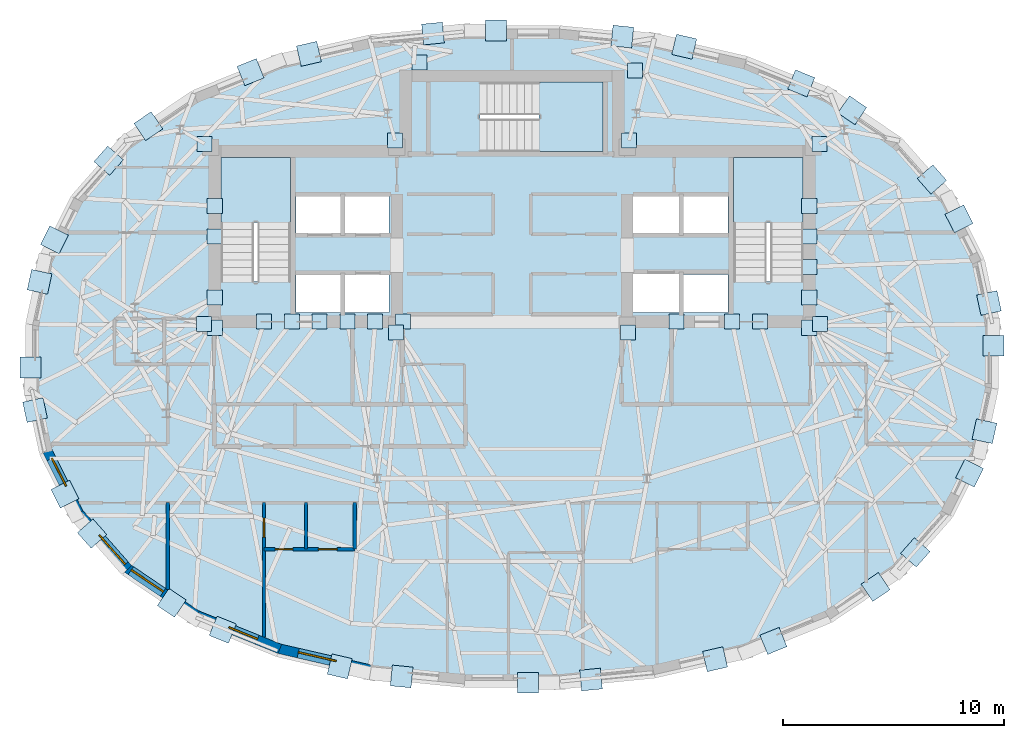
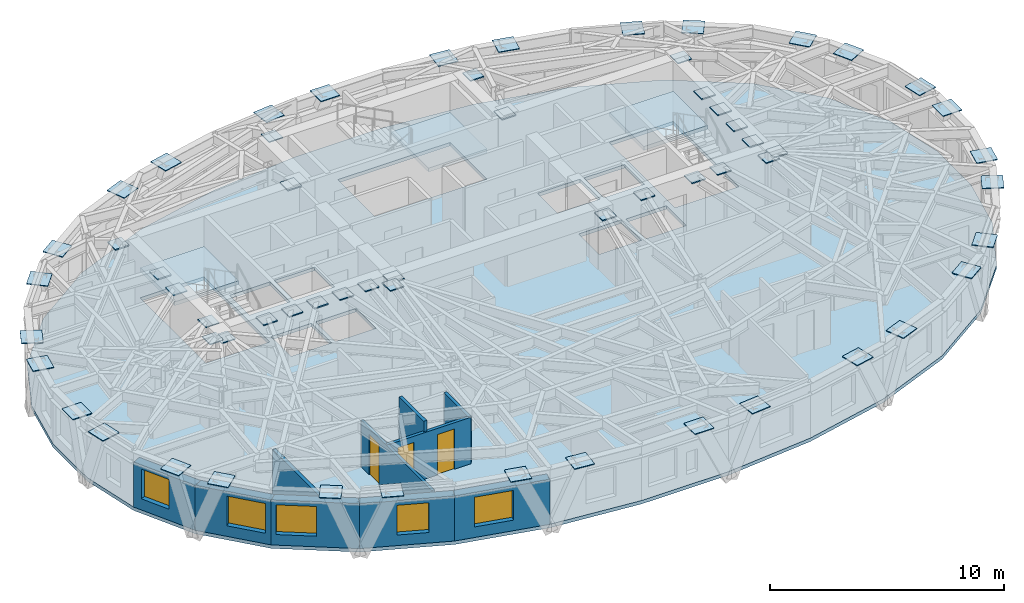
# One storey, part 5 of 13: 60 plates, 10 walls, 5 windows, 4 slabs, 3 doors, 8 openings, 3 elements without a shape of their own.
"""IFC4 building model written with IfcOpenShell, lengths in metres."""

from ifc_helpers import new_model, si_unit, direction, frame, frame_2d, origin, origin_2d, place, context, subcontext, project, spatial, polyline, rectangle, outline, extrude, material, layer, layer_set, type_object, element, fill, aggregate, save


model = new_model("IFC4")

# Units and contexts
model_context = context("Model", 3, precision=1e-05, world=origin(), true_north=direction((0.0, 1.0)))
body_context = subcontext(model_context, "Body", "Model", "MODEL_VIEW")
ifc_project = project(units=[si_unit("LENGTHUNIT", "METRE"), si_unit("AREAUNIT", "SQUARE_METRE"), si_unit("VOLUMEUNIT", "CUBIC_METRE"), si_unit("PLANEANGLEUNIT", "RADIAN"), si_unit("MASSUNIT", "GRAM", prefix="KILO")], contexts=[model_context])

# Site, building, storey
site_placement = place(None, origin())
site = spatial("IfcSite", under=ifc_project, at=site_placement, CompositionType="ELEMENT")
building_placement = place(site_placement, origin())
building = spatial("IfcBuilding", under=site, at=building_placement, Name="Keldmark Tower", CompositionType="ELEMENT")
storey_placement = place(building_placement, frame((0.0, 0.0, 235.199951171875)))
storey = spatial("IfcBuildingStorey", under=building, at=storey_placement, Name="L66", CompositionType="ELEMENT", Elevation=235.199951171875)

# Plates
ifc_material_1 = material(Name="Steel ASTM A572 Grade 50", Category="steel")
ifc_layer_1 = layer(ifc_material_1, 0.06005859375)
ifc_layer_set_1 = layer_set([ifc_layer_1], Name="Steel ASTM A572 Grade 50")
plate_type_1 = type_object("IfcPlateType", Name="Belt Truss Kink Node Assembly KN01 60 mm", PredefinedType="USERDEFINED", material=ifc_layer_set_1)
for number, where, z_axis, x_axis, name in (
    (1, (13.91162109375, 1.473388671875, 2.67822265625), (0.0, 0.0, 1.0), (1.0, 0.0, 0.0), "L66 Core Wall Cast-In Embed Plate 1924"),
    (2, (13.878173828125, 9.608154296875, 2.67822265625), (0.0, 0.0, 1.0), (1.0, 0.0, 0.0), "L66 Core Wall Cast-In Embed Plate 1925"),
    (3, (5.28515625, 9.758544921875, 2.67822265625), (0.0, 0.0, 1.0), (1.0, 0.0, 0.0), "L66 Core Wall Cast-In Embed Plate 1926"),
    (4, (-5.28515625, 9.758544921875, 2.67822265625), (0.0, 0.0, 1.0), (1.0, 0.0, 0.0), "L66 Core Wall Cast-In Embed Plate 1927"),
    (5, (-13.878173828125, 9.608154296875, 2.67822265625), (0.0, 0.0, 1.0), (1.0, 0.0, 0.0), "L66 Core Wall Cast-In Embed Plate 1928"),
    (6, (-13.91162109375, 1.473388671875, 2.67822265625), (0.0, 0.0, 1.0), (1.0, 0.0, 0.0), "L66 Core Wall Cast-In Embed Plate 1929"),
    (7, (-5.24072265625, 1.08251953125, 2.67822265625), (0.0, 0.0, 1.0), (1.0, 0.0, 0.0), "L66 Core Wall Cast-In Embed Plate 1930"),
    (8, (5.24072265625, 1.08251953125, 2.67822265625), (0.0, 0.0, 1.0), (1.0, 0.0, 0.0), "L66 Core Wall Cast-In Embed Plate 1931"),
    (9, (-13.425048828125, 5.425048828125, 2.67431640625), (0.0, 0.0, 1.0), (1.0, 0.0, 0.0), "L66 Core Wall Cast-In Embed Plate 1932"),
    (10, (-11.19287109375, 1.574951171875, 2.67431640625), (0.0, 0.0, 1.0), (1.0, 0.0, 0.0), "L66 Core Wall Cast-In Embed Plate 1933"),
    (11, (-7.43212890625, 1.574951171875, 2.67431640625), (0.0, 0.0, 1.0), (1.0, 0.0, 0.0), "L66 Core Wall Cast-In Embed Plate 1934"),
    (12, (7.43212890625, 1.574951171875, 2.67431640625), (0.0, 0.0, 1.0), (1.0, 0.0, 0.0), "L66 Core Wall Cast-In Embed Plate 1935"),
    (13, (11.19287109375, 1.574951171875, 2.67431640625), (0.0, 0.0, 1.0), (1.0, 0.0, 0.0), "L66 Core Wall Cast-In Embed Plate 1936"),
    (14, (13.425048828125, 5.425048828125, 2.67431640625), (0.0, 0.0, 1.0), (1.0, 0.0, 0.0), "L66 Core Wall Cast-In Embed Plate 1937"),
    (15, (-9.939208984375, 1.574951171875, 2.67431640625), (0.0, 0.0, 1.0), (1.0, 0.0, 0.0), "L66 Core Wall Cast-In Embed Plate 1938"),
    (16, (-6.1787109375, 1.574951171875, 2.67431640625), (0.0, 0.0, 1.0), (1.0, 0.0, 0.0), "L66 Core Wall Cast-In Embed Plate 1939"),
    (17, (9.939208984375, 1.574951171875, 2.67431640625), (0.0, 0.0, 1.0), (1.0, 0.0, 0.0), "L66 Core Wall Cast-In Embed Plate 1940"),
    (18, (13.425048828125, 4.050048828125, 2.67431640625), (0.0, 0.0, 1.0), (1.0, 0.0, 0.0), "L66 Core Wall Cast-In Embed Plate 1941"),
    (19, (13.425048828125, 6.800048828125, 2.67431640625), (0.0, 0.0, 1.0), (1.0, 0.0, 0.0), "L66 Core Wall Cast-In Embed Plate 1942"),
    (20, (-13.425048828125, 2.675048828125, 2.67431640625), (0.0, 0.0, 1.0), (1.0, 0.0, 0.0), "L66 Core Wall Cast-In Embed Plate 1943"),
    (21, (-8.685791015625, 1.574951171875, 2.67431640625), (0.0, 0.0, 1.0), (1.0, 0.0, 0.0), "L66 Core Wall Cast-In Embed Plate 1944"),
    (22, (-13.425048828125, 1.300048828125, 2.67431640625), (0.0, 0.0, 1.0), (1.0, 0.0, 0.0), "L66 Core Wall Cast-In Embed Plate 1945"),
    (23, (-4.925048828125, 1.574951171875, 2.67431640625), (0.0, 0.0, 1.0), (1.0, 0.0, 0.0), "L66 Core Wall Cast-In Embed Plate 1946"),
    (24, (13.425048828125, 1.300048828125, 2.67431640625), (0.0, 0.0, 1.0), (1.0, 0.0, 0.0), "L66 Core Wall Cast-In Embed Plate 1947"),
    (25, (13.425048828125, 2.675048828125, 2.67431640625), (0.0, 0.0, 1.0), (1.0, 0.0, 0.0), "L66 Core Wall Cast-In Embed Plate 1948"),
    (26, (5.546142578125, 12.919921875, 2.67431640625), (0.0, 0.0, 1.0), (1.0, 0.0, 0.0), "L66 Core Wall Cast-In Embed Plate 1949"),
    (27, (-4.1806640625, 13.272705078125, 2.67431640625), (0.0, 0.0, 1.0), (1.0, 0.0, 0.0), "L66 Core Wall Cast-In Embed Plate 1950"),
    (28, (-13.425048828125, 6.800048828125, 2.67431640625), (0.0, 0.0, 1.0), (1.0, 0.0, 0.0), "L66 Core Wall Cast-In Embed Plate 1951"),
):
    element("IfcPlate", number, at=place(storey_placement, frame(where, z_axis=z_axis, x_axis=x_axis)), inside=storey, type_object=plate_type_1, Name=name, ObjectType="CAP PLATE", PredefinedType="USERDEFINED", context=body_context, shape_type="SweptSolid", body=[
        extrude(rectangle(XDim=0.679931640625, YDim=0.679931640625, at=origin_2d()), origin(), (0.0, 0.0, 1.0), 0.054931640625),
    ])
ifc_material_2 = material(Name="Steel ASTM A572 Grade 50", Category="steel")
ifc_layer_2 = layer(ifc_material_2, 0.0400390625)
ifc_layer_set_2 = layer_set([ifc_layer_2], Name="Steel ASTM A572 Grade 50")
plate_type_2 = type_object("IfcPlateType", Name="Diagrid Node Assembly DN05 40 mm", PredefinedType="USERDEFINED", material=ifc_layer_set_2)
for number, where, z_axis, x_axis, name in (
    (29, (21.541259765625, 2.417724609375, 2.830078125), (0.0, 0.0, 1.0), (-0.210471759821, 0.977599937765, 0.0), "L66 Diagrid Node Assembly 01"),
    (30, (20.187255859375, 6.21337890625, 2.830078125), (0.0, 0.0, 1.0), (-0.448539214018, 0.893763152903, 0.0), "L66 Diagrid Node Assembly 02"),
    (31, (18.965087890625, 7.9970703125, 2.830078125), (0.0, 0.0, 1.0), (-0.661311865324, 0.75011106963, 0.0), "L66 Diagrid Node Assembly 03"),
    (32, (15.36572265625, 11.122314453125, 2.830078125), (0.0, 0.0, 1.0), (-0.827668733006, 0.561216953062, 0.0), "L66 Diagrid Node Assembly 04"),
    (33, (13.0625, 12.336669921875, 2.830078125), (0.0, 0.0, 1.0), (-0.92672549442, 0.375739082333, 0.0), "L66 Diagrid Node Assembly 05"),
    (34, (7.779052734375, 13.993408203125, 2.830078125), (0.0, 0.0, 1.0), (-0.97440931131, 0.224780991261, 0.0), "L66 Diagrid Node Assembly 06"),
    (35, (4.982666015625, 14.448974609375, 2.830078125), (0.0, 0.0, 1.0), (-0.995124665732, 0.098625045759, 0.0), "L66 Diagrid Node Assembly 07"),
    (36, (-0.721923828125, 14.72900390625, 2.830078125), (0.0, 0.0, 1.0), (-1.0, 0.0, 0.0), "L66 Diagrid Node Assembly 08"),
    (37, (-3.568115234375, 14.587890625, 2.830078125), (0.0, 0.0, 1.0), (-0.995124665732, -0.098625045759, 0.0), "L66 Diagrid Node Assembly 09"),
    (38, (-9.171142578125, 13.67041015625, 2.830078125), (0.0, 0.0, 1.0), (-0.97440931131, -0.224780991261, 0.0), "L66 Diagrid Node Assembly 10"),
    (39, (-11.806884765625, 12.84326171875, 2.830078125), (0.0, 0.0, 1.0), (-0.92672549442, -0.375739082333, 0.0), "L66 Diagrid Node Assembly 11"),
    (40, (-16.42041015625, 10.404541015625, 2.830078125), (0.0, 0.0, 1.0), (-0.827668733006, -0.561216953062, 0.0), "L66 Diagrid Node Assembly 12"),
    (41, (-18.215087890625, 8.84521484375, 2.830078125), (0.0, 0.0, 1.0), (-0.661311865324, -0.75011106963, 0.0), "L66 Diagrid Node Assembly 13"),
    (42, (-20.66162109375, 5.265869140625, 2.830078125), (0.0, 0.0, 1.0), (-0.448539214018, -0.893763152903, 0.0), "L66 Diagrid Node Assembly 14"),
    (43, (-21.33544921875, 3.373291015625, 2.830078125), (0.0, 0.0, 1.0), (-0.210471759821, -0.977599937765, 0.0), "L66 Diagrid Node Assembly 15"),
    (44, (-21.74951171875, -0.491455078125, 2.830078125), (0.0, 0.0, 1.0), (0.0, -1.0, 0.0), "L66 Diagrid Node Assembly 16"),
    (45, (-21.541259765625, -2.417724609375, 2.830078125), (0.0, 0.0, 1.0), (0.210471759821, -0.977599937765, 0.0), "L66 Diagrid Node Assembly 17"),
    (46, (-20.187255859375, -6.21337890625, 2.830078125), (0.0, 0.0, 1.0), (0.448539214018, -0.893763152903, 0.0), "L66 Diagrid Node Assembly 18"),
    (47, (-18.965087890625, -7.9970703125, 2.830078125), (0.0, 0.0, 1.0), (0.661311865324, -0.75011106963, 0.0), "L66 Diagrid Node Assembly 19"),
    (48, (-15.36572265625, -11.122314453125, 2.830078125), (0.0, 0.0, 1.0), (0.827668733006, -0.561216953062, 0.0), "L66 Diagrid Node Assembly 20"),
    (49, (-13.0625, -12.336669921875, 2.830078125), (0.0, 0.0, 1.0), (0.92672549442, -0.375739082333, 0.0), "L66 Diagrid Node Assembly 21"),
    (50, (-7.779052734375, -13.993408203125, 2.830078125), (0.0, 0.0, 1.0), (0.97440931131, -0.224780991261, 0.0), "L66 Diagrid Node Assembly 22"),
    (51, (-4.982666015625, -14.448974609375, 2.830078125), (0.0, 0.0, 1.0), (0.995124665732, -0.098625045759, 0.0), "L66 Diagrid Node Assembly 23"),
    (52, (0.721923828125, -14.72900390625, 2.830078125), (0.0, 0.0, 1.0), (1.0, 0.0, 0.0), "L66 Diagrid Node Assembly 24"),
    (53, (3.568115234375, -14.587890625, 2.830078125), (0.0, 0.0, 1.0), (0.995124665732, 0.098625045759, 0.0), "L66 Diagrid Node Assembly 25"),
    (54, (9.171142578125, -13.67041015625, 2.830078125), (0.0, 0.0, 1.0), (0.97440931131, 0.224780991261, 0.0), "L66 Diagrid Node Assembly 26"),
    (55, (11.806884765625, -12.84326171875, 2.830078125), (0.0, 0.0, 1.0), (0.92672549442, 0.375739082333, 0.0), "L66 Diagrid Node Assembly 27"),
    (56, (16.42041015625, -10.404541015625, 2.830078125), (0.0, 0.0, 1.0), (0.827668733006, 0.561216953062, 0.0), "L66 Diagrid Node Assembly 28"),
    (57, (18.215087890625, -8.84521484375, 2.830078125), (0.0, 0.0, 1.0), (0.661311865324, 0.75011106963, 0.0), "L66 Diagrid Node Assembly 29"),
    (58, (20.66162109375, -5.265869140625, 2.830078125), (0.0, 0.0, 1.0), (0.448539214018, 0.893763152903, 0.0), "L66 Diagrid Node Assembly 30"),
    (59, (21.33544921875, -3.373291015625, 2.830078125), (0.0, 0.0, 1.0), (0.210471759821, 0.977599937765, 0.0), "L66 Diagrid Node Assembly 31"),
    (60, (21.74951171875, 0.491455078125, 2.830078125), (0.0, 0.0, 1.0), (0.0, 1.0, 0.0), "L66 Diagrid Node Assembly 32"),
):
    element("IfcPlate", number, at=place(storey_placement, frame(where, z_axis=z_axis, x_axis=x_axis)), inside=storey, type_object=plate_type_2, Name=name, ObjectType="GUSSET", PredefinedType="USERDEFINED", context=body_context, shape_type="SweptSolid", body=[
        extrude(rectangle(XDim=0.93994140625, YDim=0.93994140625, at=origin_2d()), origin(), (0.0, 0.0, 1.0), 0.0400390625),
    ])

# Slab
ifc_material_3 = material(Name="Concrete C35/45", Category="concrete")
ifc_layer_3 = layer(ifc_material_3, 0.179931640625)
ifc_layer_set_3 = layer_set([ifc_layer_3], Name="Concrete C35/45")
slab_type_1 = type_object("IfcSlabType", Name="Hotel and Residential Slab 180 mm", PredefinedType="FLOOR", material=ifc_layer_set_3)
slab_1_placement = place(storey_placement, frame((0.0, 0.0, -0.179931640625)))
element("IfcSlab", 61, at=slab_1_placement, inside=storey, type_object=slab_type_1, Name="L66 Composite Structural Floor Slab", PredefinedType="FLOOR", context=body_context, shape_type="SweptSolid", body=[
    extrude(outline(polyline([(21.809326171875, 1.45654296875), (21.1845703125, 4.357666015625), (19.774658203125, 7.167236328125), (17.5048828125, 9.741455078125), (14.365966796875, 11.8701171875), (10.56982421875, 13.4091796875), (6.42626953125, 14.364990234375), (2.14794921875, 14.788818359375), (-2.14794921875, 14.788818359375), (-6.42626953125, 14.364990234375), (-10.56982421875, 13.4091796875), (-14.365966796875, 11.8701171875), (-17.5048828125, 9.741455078125), (-19.774658203125, 7.167236328125), (-21.1845703125, 4.357666015625), (-21.809326171875, 1.45654296875), (-21.809326171875, -1.45654296875), (-21.1845703125, -4.357666015625), (-19.774658203125, -7.167236328125), (-17.5048828125, -9.741455078125), (-14.365966796875, -11.8701171875), (-10.56982421875, -13.4091796875), (-6.42626953125, -14.364990234375), (-2.14794921875, -14.788818359375), (2.14794921875, -14.788818359375), (6.42626953125, -14.364990234375), (10.56982421875, -13.4091796875), (14.365966796875, -11.8701171875), (17.5048828125, -9.741455078125), (19.774658203125, -7.167236328125), (21.1845703125, -4.357666015625), (21.809326171875, -1.45654296875), (21.809326171875, 1.45654296875)]), holes=[polyline([(-10.0, 3.385009765625), (-10.0, 9.0), (-13.14990234375, 9.0), (-13.14990234375, 3.385009765625), (-10.0, 3.385009765625)]), polyline([(13.14990234375, 3.385009765625), (13.14990234375, 9.0), (10.0, 9.0), (10.0, 3.385009765625), (13.14990234375, 3.385009765625)]), polyline([(-1.43994140625, 9.25), (4.10498046875, 9.25), (4.10498046875, 12.39990234375), (-1.43994140625, 12.39990234375), (-1.43994140625, 9.25)]), polyline([(-9.75, 2.0), (-7.75, 2.0), (-7.75, 3.699951171875), (-9.75, 3.699951171875), (-9.75, 2.0)]), polyline([(7.75, 2.0), (9.75, 2.0), (9.75, 3.699951171875), (7.75, 3.699951171875), (7.75, 2.0)]), polyline([(5.449951171875, 2.0), (7.550048828125, 2.0), (7.550048828125, 3.75), (5.449951171875, 3.75), (5.449951171875, 2.0)]), polyline([(-9.75, 5.550048828125), (-7.75, 5.550048828125), (-7.75, 7.25), (-9.75, 7.25), (-9.75, 5.550048828125)]), polyline([(-7.550048828125, 5.550048828125), (-5.550048828125, 5.550048828125), (-5.550048828125, 7.25), (-7.550048828125, 7.25), (-7.550048828125, 5.550048828125)]), polyline([(-7.550048828125, 2.0), (-5.550048828125, 2.0), (-5.550048828125, 3.699951171875), (-7.550048828125, 3.699951171875), (-7.550048828125, 2.0)]), polyline([(5.449951171875, 5.550048828125), (7.550048828125, 5.550048828125), (7.550048828125, 7.25), (5.449951171875, 7.25), (5.449951171875, 5.550048828125)]), polyline([(7.75, 5.550048828125), (9.75, 5.550048828125), (9.75, 7.25), (7.75, 7.25), (7.75, 5.550048828125)])]), origin(), (0.0, 0.0, 1.0), 0.179931640625),
])

# Stair, slab
ifc_material_4 = material(Name="Concrete C40/50", Category="concrete")
stair_type = type_object("IfcStairType", Name="Precast Concrete Core Exit Stair", PredefinedType="HALF_TURN_STAIR", material=ifc_material_4)
stair_1_placement = place(storey_placement, origin())
stair_1 = element("IfcStair", 62, at=stair_1_placement, inside=storey, type_object=stair_type, Name="L66 Exit Stair ST1", PredefinedType="HALF_TURN_STAIR")
ifc_material_5 = material(Name="Concrete C40/50", Category="concrete")
ifc_layer_4 = layer(ifc_material_5, 0.199951171875)
ifc_layer_set_4 = layer_set([ifc_layer_4], Name="Concrete C40/50")
slab_type_2 = type_object("IfcSlabType", Name="Reinforced Concrete Stair Landing 200 mm", PredefinedType="LANDING", material=ifc_layer_set_4)
slab_2_placement = place(storey_placement, frame((0.0, 0.0, 1.375)))
slab_2 = element("IfcSlab", 63, at=slab_2_placement, type_object=slab_type_2, Name="ST1 landing 1", PredefinedType="LANDING", context=body_context, shape_type="SweptSolid", body=[
    extrude(outline(polyline([(-10.0, 6.050048828125), (-10.0, 9.0), (-13.14990234375, 9.0), (-13.14990234375, 6.050048828125), (-10.0, 6.050048828125)])), origin(), (0.0, 0.0, 1.0), 0.199951171875),
])
aggregate(stair_1, [slab_2])

stair_2_placement = place(storey_placement, origin())
stair_2 = element("IfcStair", 64, at=stair_2_placement, inside=storey, type_object=stair_type, Name="L66 Exit Stair ST2", PredefinedType="HALF_TURN_STAIR")
slab_3_placement = place(storey_placement, frame((0.0, 0.0, 1.375)))
slab_3 = element("IfcSlab", 65, at=slab_3_placement, type_object=slab_type_2, Name="ST2 landing 1", PredefinedType="LANDING", context=body_context, shape_type="SweptSolid", body=[
    extrude(outline(polyline([(13.14990234375, 6.050048828125), (13.14990234375, 9.0), (10.0, 9.0), (10.0, 6.050048828125), (13.14990234375, 6.050048828125)])), origin(), (0.0, 0.0, 1.0), 0.199951171875),
])
aggregate(stair_2, [slab_3])

stair_3_placement = place(storey_placement, origin())
stair_3 = element("IfcStair", 66, at=stair_3_placement, inside=storey, type_object=stair_type, Name="L66 Exit Stair ST3", PredefinedType="HALF_TURN_STAIR")
slab_4_placement = place(storey_placement, frame((0.0, 0.0, 1.375)))
slab_4 = element("IfcSlab", 67, at=slab_4_placement, type_object=slab_type_2, Name="ST3 landing 1", PredefinedType="LANDING", context=body_context, shape_type="SweptSolid", body=[
    extrude(outline(polyline([(1.22509765625, 9.25), (4.10498046875, 9.25), (4.10498046875, 12.39990234375), (1.22509765625, 12.39990234375), (1.22509765625, 9.25)])), origin(), (0.0, 0.0, 1.0), 0.199951171875),
])
aggregate(stair_3, [slab_4])

# Wall, opening, door
ifc_material_6 = material(Name="Acoustic Gypsum Board Interior Partition", Category="gypsum")
ifc_layer_5 = layer(ifc_material_6, 0.1298828125)
ifc_layer_set_5 = layer_set([ifc_layer_5], Name="Acoustic Gypsum Board Interior Partition")
wall_type_1 = type_object("IfcWallType", Name="Interior Partition 130 mm", PredefinedType="PARTITIONING", material=ifc_layer_set_5)
wall_1_placement = place(storey_placement, frame((-11.199951171875, -12.670166015625, 0.0), z_axis=(0.0, 0.0, 1.0), x_axis=(0.0, 1.0, 0.0)))
wall_1 = element("IfcWall", 68, at=wall_1_placement, inside=storey, type_object=wall_type_1, Name="L66 Interior Partition 130 mm UA-BR1-E", PredefinedType="PARTITIONING", context=body_context, shape_type="SweptSolid", body=[
    extrude(rectangle(XDim=6.070068359375, YDim=0.1298828125, at=frame_2d((3.03515625, 0.0))), origin(), (0.0, 0.0, 1.0), 2.423095703125),
])
opening_1_placement = place(wall_1_placement, frame((4.5205078125, 0.0, 0.0)))
opening_1 = element("IfcOpeningElement", 69, at=opening_1_placement, cuts=wall_1, Name="Opening D-BR085", PredefinedType="OPENING", context=body_context, shape_type="SweptSolid", body=[
    extrude(rectangle(XDim=0.85009765625, YDim=2.10009765625, at=frame_2d((0.425048828125, 1.050048828125))), frame((0.0, 0.074951171875, 0.0), z_axis=(0.0, -1.0, 0.0), x_axis=(1.0, 0.0, 0.0)), (0.0, 0.0, 1.0), 0.14990234375),
])
ifc_material_7 = material(Name="Solid-Core Stained Walnut Wood", Category="wood")
door_type_1 = type_object("IfcDoorType", Name="Bedroom Door 850x2100", OperationType="NOTDEFINED", PredefinedType="DOOR", material=ifc_material_7)
door_1_placement = place(opening_1_placement, origin())
door_1 = element("IfcDoor", 70, at=door_1_placement, inside=storey, type_object=door_type_1, Name="L66 Bedroom Door 850x2100 D-UA-BR1-L66", OperationType="SINGLE_SWING_RIGHT", OverallHeight=2.10009765625, OverallWidth=0.85009765625, PredefinedType="DOOR", context=body_context, shape_type="SweptSolid", body=[
    extrude(rectangle(XDim=0.85009765625, YDim=2.10009765625, at=frame_2d((0.425048828125, 1.050048828125))), frame((0.0, 0.02490234375, 0.0), z_axis=(0.0, -1.0, 0.0), x_axis=(1.0, 0.0, 0.0)), (0.0, 0.0, 1.0), 0.050048828125),
])
fill(opening_1, door_1)

# Wall
ifc_material_8 = material(Name="Type X Fire-Rated Gypsum Partition Assembly", Category="gypsum")
ifc_layer_6 = layer(ifc_material_8, 0.1650390625)
ifc_layer_set_6 = layer_set([ifc_layer_6], Name="Type X Fire-Rated Gypsum Partition Assembly")
wall_type_2 = type_object("IfcWallType", Name="Rated Partition 165 mm", PredefinedType="PARTITIONING", material=ifc_layer_set_6)
wall_2_placement = place(storey_placement, frame((-15.550048828125, -10.52587890625, 0.0), z_axis=(0.0, 0.0, 1.0), x_axis=(0.0, 1.0, 0.0)))
element("IfcWall", 71, at=wall_2_placement, inside=storey, type_object=wall_type_2, Name="L66 Rated Partition 165 mm RS-WCAP", PredefinedType="PARTITIONING", context=body_context, shape_type="SweptSolid", body=[
    extrude(rectangle(XDim=3.92578125, YDim=0.1650390625, at=frame_2d((1.962890625, 0.0))), origin(), (0.0, 0.0, 1.0), 2.423095703125),
])

# Wall, opening, window
ifc_material_9 = material(Name="Ironspot Manganese Brick and Kasota Buff Limestone Spandrel Assembly", Category="masonry")
ifc_layer_7 = layer(ifc_material_9, 0.43994140625)
ifc_layer_set_7 = layer_set([ifc_layer_7], Name="Ironspot Manganese Brick and Kasota Buff Limestone Spandrel Assembly")
wall_type_3 = type_object("IfcWallType", Name="Tower Brick Pier and Spandrel Wall 440 mm", PredefinedType="STANDARD", material=ifc_layer_set_7)
wall_3_placement = place(storey_placement, frame((-19.578125, -7.068603515625, 0.0), z_axis=(0.0, 0.0, 1.0), x_axis=(-0.448424724145, 0.893820601002, 0.0)))
wall_3 = element("IfcWall", 72, at=wall_3_placement, inside=storey, type_object=wall_type_3, Name="L66 Exterior Brick and Spandrel Wall 18", PredefinedType="STANDARD", context=body_context, shape_type="SweptSolid", body=[
    extrude(rectangle(XDim=3.1435546875, YDim=0.43994140625, at=frame_2d((1.57177734375, 0.0))), origin(), (0.0, 0.0, 1.0), 2.3359375),
])
opening_2_placement = place(wall_3_placement, frame((1.344482421875, 0.0, 0.580078125)))
opening_2 = element("IfcOpeningElement", 73, at=opening_2_placement, cuts=wall_3, Name="Opening W-08", PredefinedType="OPENING", context=body_context, shape_type="SweptSolid", body=[
    extrude(rectangle(XDim=1.39990234375, YDim=1.550048828125, at=frame_2d((0.699951171875, 0.77490234375))), frame((0.0, 0.22998046875, 0.0), z_axis=(0.0, -1.0, 0.0), x_axis=(1.0, 0.0, 0.0)), (0.0, 0.0, 1.0), 0.4599609375),
])
ifc_material_10 = material(Name="Thermally Broken Anodized Aluminum and Triple Low-E Argon Glazing", Category="aluminium")
window_type_1 = type_object("IfcWindowType", Name="Residential Corner Punched Window 1400x1550", PartitioningType="SINGLE_PANEL", PredefinedType="WINDOW", material=ifc_material_10)
window_1_placement = place(opening_2_placement, origin())
window_1 = element("IfcWindow", 74, at=window_1_placement, inside=storey, type_object=window_type_1, Name="L66 Deep-Set Window 18", OverallHeight=1.550048828125, OverallWidth=1.39990234375, PartitioningType="SINGLE_PANEL", PredefinedType="WINDOW", context=body_context, shape_type="SweptSolid", body=[
    extrude(rectangle(XDim=1.39990234375, YDim=1.550048828125, at=frame_2d((0.699951171875, 0.77490234375))), frame((0.0, -0.010009765625, 0.0), z_axis=(0.0, -1.0, 0.0), x_axis=(1.0, 0.0, 0.0)), (0.0, 0.0, 1.0), 0.06005859375),
])
fill(opening_2, window_1)

wall_4_placement = place(storey_placement, frame((-17.33984375, -9.595947265625, 0.0), z_axis=(0.0, 0.0, 1.0), x_axis=(-0.66136043846, 0.750068243855, 0.0)))
wall_4 = element("IfcWall", 75, at=wall_4_placement, inside=storey, type_object=wall_type_3, Name="L66 Exterior Brick and Spandrel Wall 19", PredefinedType="STANDARD", context=body_context, shape_type="SweptSolid", body=[
    extrude(rectangle(XDim=3.431884765625, YDim=0.43994140625, at=frame_2d((1.7158203125, 0.0))), origin(), (0.0, 0.0, 1.0), 2.3359375),
])
opening_3_placement = place(wall_4_placement, frame((0.249267578125, 0.0, 0.550048828125)))
opening_3 = element("IfcOpeningElement", 76, at=opening_3_placement, cuts=wall_4, Name="Opening W-05", PredefinedType="OPENING", context=body_context, shape_type="SweptSolid", body=[
    extrude(rectangle(XDim=1.75, YDim=1.550048828125, at=frame_2d((0.875, 0.77490234375))), frame((0.0, 0.22998046875, 0.0), z_axis=(0.0, -1.0, 0.0), x_axis=(1.0, 0.0, 0.0)), (0.0, 0.0, 1.0), 0.4599609375),
])
ifc_material_11 = material(Name="Thermally Broken Anodized Aluminum and Triple Low-E Argon Glazing", Category="aluminium")
window_type_2 = type_object("IfcWindowType", Name="Residential Deep-Set Window 1750x1550", PartitioningType="DOUBLE_PANEL_VERTICAL", PredefinedType="WINDOW", material=ifc_material_11)
window_2_placement = place(opening_3_placement, origin())
window_2 = element("IfcWindow", 77, at=window_2_placement, inside=storey, type_object=window_type_2, Name="L66 Deep-Set Window 19", OverallHeight=1.550048828125, OverallWidth=1.75, PartitioningType="SINGLE_PANEL", PredefinedType="WINDOW", context=body_context, shape_type="SweptSolid", body=[
    extrude(rectangle(XDim=1.75, YDim=1.550048828125, at=frame_2d((0.875, 0.77490234375))), frame((0.0, -0.010009765625, 0.0), z_axis=(0.0, -1.0, 0.0), x_axis=(1.0, 0.0, 0.0)), (0.0, 0.0, 1.0), 0.06005859375),
])
fill(opening_3, window_2)

wall_5_placement = place(storey_placement, frame((-14.242431640625, -11.68798828125, 0.0), z_axis=(0.0, 0.0, 1.0), x_axis=(-0.827637036896, 0.561263694851, 0.0)))
wall_5 = element("IfcWall", 78, at=wall_5_placement, inside=storey, type_object=wall_type_3, Name="L66 Exterior Brick and Spandrel Wall 20", PredefinedType="STANDARD", context=body_context, shape_type="SweptSolid", body=[
    extrude(rectangle(XDim=3.792724609375, YDim=0.43994140625, at=frame_2d((1.896484375, 0.0))), origin(), (0.0, 0.0, 1.0), 2.3359375),
])
opening_4_placement = place(wall_5_placement, frame((1.842529296875, 0.0, 0.550048828125)))
opening_4 = element("IfcOpeningElement", 79, at=opening_4_placement, cuts=wall_5, Name="Opening W-05", PredefinedType="OPENING", context=body_context, shape_type="SweptSolid", body=[
    extrude(rectangle(XDim=1.75, YDim=1.550048828125, at=frame_2d((0.875, 0.77490234375))), frame((0.0, 0.22998046875, 0.0), z_axis=(0.0, -1.0, 0.0), x_axis=(1.0, 0.0, 0.0)), (0.0, 0.0, 1.0), 0.4599609375),
])
window_3_placement = place(opening_4_placement, origin())
window_3 = element("IfcWindow", 80, at=window_3_placement, inside=storey, type_object=window_type_2, Name="L66 Deep-Set Window 20", OverallHeight=1.550048828125, OverallWidth=1.75, PartitioningType="SINGLE_PANEL", PredefinedType="WINDOW", context=body_context, shape_type="SweptSolid", body=[
    extrude(rectangle(XDim=1.75, YDim=1.550048828125, at=frame_2d((0.875, 0.77490234375))), frame((0.0, -0.010009765625, 0.0), z_axis=(0.0, -1.0, 0.0), x_axis=(1.0, 0.0, 0.0)), (0.0, 0.0, 1.0), 0.06005859375),
])
fill(opening_4, window_3)

wall_6_placement = place(storey_placement, frame((-10.487060546875, -13.205078125, 0.0), z_axis=(0.0, 0.0, 1.0), x_axis=(-0.926731976866, 0.375723093586, 0.0)))
wall_6 = element("IfcWall", 81, at=wall_6_placement, inside=storey, type_object=wall_type_3, Name="L66 Exterior Brick and Spandrel Wall 21", PredefinedType="STANDARD", context=body_context, shape_type="SweptSolid", body=[
    extrude(rectangle(XDim=4.09619140625, YDim=0.43994140625, at=frame_2d((2.048095703125, 0.0))), origin(), (0.0, 0.0, 1.0), 2.3359375),
])
opening_5_placement = place(wall_6_placement, frame((1.098388671875, 0.0, 0.550048828125)))
opening_5 = element("IfcOpeningElement", 82, at=opening_5_placement, cuts=wall_6, Name="Opening W-08", PredefinedType="OPENING", context=body_context, shape_type="SweptSolid", body=[
    extrude(rectangle(XDim=1.39990234375, YDim=1.550048828125, at=frame_2d((0.699951171875, 0.77490234375))), frame((0.0, 0.22998046875, 0.0), z_axis=(0.0, -1.0, 0.0), x_axis=(1.0, 0.0, 0.0)), (0.0, 0.0, 1.0), 0.4599609375),
])
window_4_placement = place(opening_5_placement, origin())
window_4 = element("IfcWindow", 83, at=window_4_placement, inside=storey, type_object=window_type_1, Name="L66 Deep-Set Window 21", OverallHeight=1.550048828125, OverallWidth=1.39990234375, PartitioningType="SINGLE_PANEL", PredefinedType="WINDOW", context=body_context, shape_type="SweptSolid", body=[
    extrude(rectangle(XDim=1.39990234375, YDim=1.550048828125, at=frame_2d((0.699951171875, 0.77490234375))), frame((0.0, -0.010009765625, 0.0), z_axis=(0.0, -1.0, 0.0), x_axis=(1.0, 0.0, 0.0)), (0.0, 0.0, 1.0), 0.06005859375),
])
fill(opening_5, window_4)

wall_7_placement = place(storey_placement, frame((-6.376708984375, -14.150634765625, 0.0), z_axis=(0.0, 0.0, 1.0), x_axis=(-0.974398936081, 0.224825962391, 0.0)))
wall_7 = element("IfcWall", 84, at=wall_7_placement, inside=storey, type_object=wall_type_3, Name="L66 Exterior Brick and Spandrel Wall 22", PredefinedType="STANDARD", context=body_context, shape_type="SweptSolid", body=[
    extrude(rectangle(XDim=4.25244140625, YDim=0.43994140625, at=frame_2d((2.126220703125, 0.0))), origin(), (0.0, 0.0, 1.0), 2.3359375),
])
opening_6_placement = place(wall_7_placement, frame((1.617919921875, 0.0, 0.550048828125)))
opening_6 = element("IfcOpeningElement", 85, at=opening_6_placement, cuts=wall_7, Name="Opening W-05", PredefinedType="OPENING", context=body_context, shape_type="SweptSolid", body=[
    extrude(rectangle(XDim=1.75, YDim=1.550048828125, at=frame_2d((0.875, 0.77490234375))), frame((0.0, 0.22998046875, 0.0), z_axis=(0.0, -1.0, 0.0), x_axis=(1.0, 0.0, 0.0)), (0.0, 0.0, 1.0), 0.4599609375),
])
window_5_placement = place(opening_6_placement, origin())
window_5 = element("IfcWindow", 86, at=window_5_placement, inside=storey, type_object=window_type_2, Name="L66 Deep-Set Window 22", OverallHeight=1.550048828125, OverallWidth=1.75, PartitioningType="SINGLE_PANEL", PredefinedType="WINDOW", context=body_context, shape_type="SweptSolid", body=[
    extrude(rectangle(XDim=1.75, YDim=1.550048828125, at=frame_2d((0.875, 0.77490234375))), frame((0.0, -0.010009765625, 0.0), z_axis=(0.0, -1.0, 0.0), x_axis=(1.0, 0.0, 0.0)), (0.0, 0.0, 1.0), 0.06005859375),
])
fill(opening_6, window_5)

# Wall, openings, doors
ifc_material_12 = material(Name="Moisture-Resistant Gypsum Plumbing Partition", Category="gypsum")
ifc_layer_8 = layer(ifc_material_12, 0.14990234375)
ifc_layer_set_8 = layer_set([ifc_layer_8], Name="Moisture-Resistant Gypsum Plumbing Partition")
wall_type_4 = type_object("IfcWallType", Name="Wet Wall 150 mm", PredefinedType="PLUMBINGWALL", material=ifc_layer_set_8)
wall_8_placement = place(storey_placement, frame((-11.199951171875, -8.699951171875, 0.0), z_axis=(0.0, 0.0, 1.0), x_axis=(1.0, 0.0, 0.0)))
wall_8 = element("IfcWall", 87, at=wall_8_placement, inside=storey, type_object=wall_type_4, Name="L66 Wet Wall 150 mm UA-BK-S", PredefinedType="PLUMBINGWALL", context=body_context, shape_type="SweptSolid", body=[
    extrude(rectangle(XDim=4.099853515625, YDim=0.14990234375, at=frame_2d((2.0498046875, 0.0))), origin(), (0.0, 0.0, 1.0), 2.423095703125),
])
opening_7_placement = place(wall_8_placement, frame((0.5, 0.0, 0.0)))
opening_7 = element("IfcOpeningElement", 88, at=opening_7_placement, cuts=wall_8, Name="Opening D-BT080", PredefinedType="OPENING", context=body_context, shape_type="SweptSolid", body=[
    extrude(rectangle(XDim=0.800048828125, YDim=2.10009765625, at=frame_2d((0.39990234375, 1.050048828125))), frame((0.0, 0.0849609375, 0.0), z_axis=(0.0, -1.0, 0.0), x_axis=(1.0, 0.0, 0.0)), (0.0, 0.0, 1.0), 0.169921875),
])
opening_8_placement = place(wall_8_placement, frame((2.449951171875, 0.0, 0.0)))
opening_8 = element("IfcOpeningElement", 89, at=opening_8_placement, cuts=wall_8, Name="Opening D-IN085", PredefinedType="OPENING", context=body_context, shape_type="SweptSolid", body=[
    extrude(rectangle(XDim=0.85009765625, YDim=2.10009765625, at=frame_2d((0.425048828125, 1.050048828125))), frame((0.0, 0.0849609375, 0.0), z_axis=(0.0, -1.0, 0.0), x_axis=(1.0, 0.0, 0.0)), (0.0, 0.0, 1.0), 0.169921875),
])
ifc_material_13 = material(Name="Moisture-Sealed Stained Wood", Category="wood")
door_type_2 = type_object("IfcDoorType", Name="Bathroom Door 800x2100", OperationType="NOTDEFINED", PredefinedType="DOOR", material=ifc_material_13)
door_2_placement = place(opening_7_placement, origin())
door_2 = element("IfcDoor", 90, at=door_2_placement, inside=storey, type_object=door_type_2, Name="L66 Bathroom Door 800x2100 D-UA-BATH-L66", OperationType="SINGLE_SWING_LEFT", OverallHeight=2.10009765625, OverallWidth=0.800048828125, PredefinedType="DOOR", context=body_context, shape_type="SweptSolid", body=[
    extrude(rectangle(XDim=0.800048828125, YDim=2.10009765625, at=frame_2d((0.39990234375, 1.050048828125))), frame((0.0, 0.02490234375, 0.0), z_axis=(0.0, -1.0, 0.0), x_axis=(1.0, 0.0, 0.0)), (0.0, 0.0, 1.0), 0.050048828125),
])
fill(opening_7, door_2)
ifc_material_14 = material(Name="Painted Architectural Wood", Category="wood")
door_type_3 = type_object("IfcDoorType", Name="Interior Door 850x2100", OperationType="NOTDEFINED", PredefinedType="DOOR", material=ifc_material_14)
door_3_placement = place(opening_8_placement, origin())
door_3 = element("IfcDoor", 91, at=door_3_placement, inside=storey, type_object=door_type_3, Name="L66 Interior Door 850x2100 D-UA-KIT-L66", OperationType="SINGLE_SWING_RIGHT", OverallHeight=2.10009765625, OverallWidth=0.85009765625, PredefinedType="DOOR", context=body_context, shape_type="SweptSolid", body=[
    extrude(rectangle(XDim=0.85009765625, YDim=2.10009765625, at=frame_2d((0.425048828125, 1.050048828125))), frame((0.0, 0.02490234375, 0.0), z_axis=(0.0, -1.0, 0.0), x_axis=(1.0, 0.0, 0.0)), (0.0, 0.0, 1.0), 0.050048828125),
])
fill(opening_8, door_3)

# Walls
wall_9_placement = place(storey_placement, frame((-9.300048828125, -8.699951171875, 0.0), z_axis=(0.0, 0.0, 1.0), x_axis=(0.0, 1.0, 0.0)))
element("IfcWall", 92, at=wall_9_placement, inside=storey, type_object=wall_type_4, Name="L66 Wet Wall 150 mm UA-BK-M", PredefinedType="PLUMBINGWALL", context=body_context, shape_type="SweptSolid", body=[
    extrude(rectangle(XDim=2.099853515625, YDim=0.14990234375, at=frame_2d((1.0498046875, 0.0))), origin(), (0.0, 0.0, 1.0), 2.969970703125),
])
wall_10_placement = place(storey_placement, frame((-7.10009765625, -8.699951171875, 0.0), z_axis=(0.0, 0.0, 1.0), x_axis=(0.0, 1.0, 0.0)))
element("IfcWall", 93, at=wall_10_placement, inside=storey, type_object=wall_type_4, Name="L66 Wet Wall 150 mm UA-BK-E", PredefinedType="PLUMBINGWALL", context=body_context, shape_type="SweptSolid", body=[
    extrude(rectangle(XDim=2.099853515625, YDim=0.14990234375, at=frame_2d((1.0498046875, 0.0))), origin(), (0.0, 0.0, 1.0), 2.423095703125),
])

save(model, "model.ifc")
